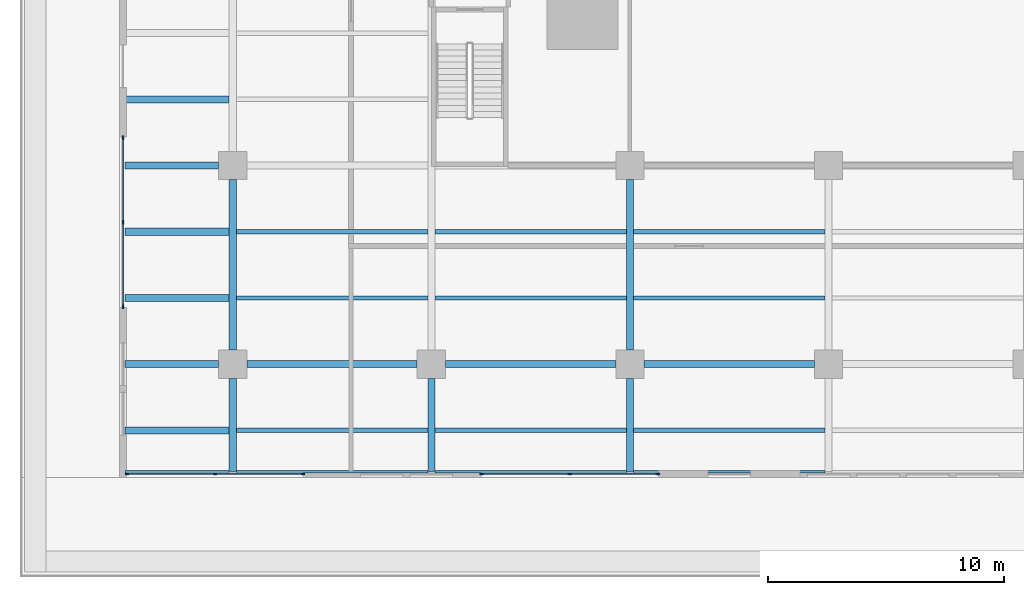
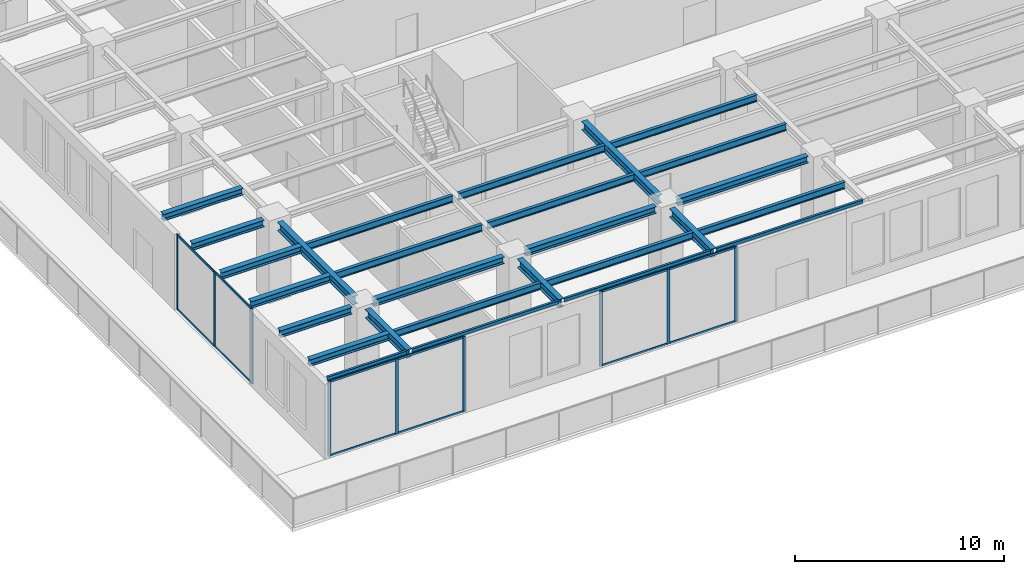
# One storey, part 2 of 32: 27 beams, 21 members, 3 elements without a shape of their own.
"""IFC4 building model written with IfcOpenShell, lengths in metres."""

from ifc_helpers import new_model, si_unit, direction, frame, origin, origin_2d, place, context, subcontext, project, spatial, rectangle, i_section, extrude, material, material_profile, profile_set, type_object, element, aggregate, save


model = new_model("IFC4")

# Units and contexts
model_context = context("Model", 3, precision=1e-05, world=origin(), true_north=direction((0.0, 1.0)))
body_context = subcontext(model_context, "Body", "Model", "MODEL_VIEW")
ifc_project = project(units=[si_unit("LENGTHUNIT", "METRE"), si_unit("AREAUNIT", "SQUARE_METRE"), si_unit("VOLUMEUNIT", "CUBIC_METRE"), si_unit("PLANEANGLEUNIT", "RADIAN"), si_unit("MASSUNIT", "GRAM", prefix="KILO")], contexts=[model_context])

# Site, building, storey
site_placement = place(None, origin())
site = spatial("IfcSite", under=ifc_project, at=site_placement, CompositionType="ELEMENT")
building_placement = place(site_placement, origin())
building = spatial("IfcBuilding", under=site, at=building_placement, Name="Khepri Terraces", CompositionType="ELEMENT")
storey_placement = place(building_placement, frame((0.0, 0.0, 12.0)))
storey = spatial("IfcBuildingStorey", under=building, at=storey_placement, Name="L02", CompositionType="ELEMENT", Elevation=12.0)

# Curtain wall, members
ifc_material_1 = material(Name="Anodised aluminium bronze curtain wall", Category="aluminium")
curtain_wall_type = type_object("IfcCurtainWallType", Name="CW-SYS2-PODIUM", PredefinedType="NOTDEFINED", material=ifc_material_1)
curtain_wall_1_placement = place(storey_placement, origin())
curtain_wall_1 = element("IfcCurtainWall", 1, at=curtain_wall_1_placement, inside=storey, type_object=curtain_wall_type, Name="Curtain wall CW2 L02 S", PredefinedType="NOTDEFINED")
ifc_material_2 = material(Name="Anodised aluminium bronze", Category="aluminium")
ifc_material_profile_1 = material_profile(ifc_material_2, rectangle(XDim=0.06005859375, YDim=0.159912109375, at=origin_2d()), Name="Anodised aluminium bronze", Category="aluminium")
ifc_profile_set_1 = profile_set([ifc_material_profile_1], Name="Anodised aluminium bronze")
member_type_1 = type_object("IfcMemberType", Name="CW-MULLION-60x160", PredefinedType="MULLION", material=ifc_profile_set_1)
member_1_placement = place(storey_placement, frame((-38.070068359375, -38.25, 0.0), z_axis=(0.0, 0.0, 1.0), x_axis=(0.0, 1.0, 0.0)))
member_1 = element("IfcMember", 2, at=member_1_placement, type_object=member_type_1, Name="CW2 mullion 1", PredefinedType="MULLION", context=body_context, shape_type="SweptSolid", body=[
    extrude(rectangle(XDim=0.06005859375, YDim=0.159912109375, at=origin_2d()), origin(), (0.0, 0.0, 1.0), 4.3798828125),
])
member_2_placement = place(storey_placement, frame((-34.35009765625, -38.25, 0.0), z_axis=(0.0, 0.0, 1.0), x_axis=(0.0, 1.0, 0.0)))
member_2 = element("IfcMember", 3, at=member_2_placement, type_object=member_type_1, Name="CW2 mullion 2", PredefinedType="MULLION", context=body_context, shape_type="SweptSolid", body=[
    extrude(rectangle(XDim=0.06005859375, YDim=0.159912109375, at=origin_2d()), origin(), (0.0, 0.0, 1.0), 4.3798828125),
])
member_3_placement = place(storey_placement, frame((-30.6298828125, -38.25, 0.0), z_axis=(0.0, 0.0, 1.0), x_axis=(0.0, 1.0, 0.0)))
member_3 = element("IfcMember", 4, at=member_3_placement, type_object=member_type_1, Name="CW2 mullion 3", PredefinedType="MULLION", context=body_context, shape_type="SweptSolid", body=[
    extrude(rectangle(XDim=0.06005859375, YDim=0.159912109375, at=origin_2d()), origin(), (0.0, 0.0, 1.0), 4.3798828125),
])

curtain_wall_2_placement = place(storey_placement, origin())
curtain_wall_2 = element("IfcCurtainWall", 5, at=curtain_wall_2_placement, inside=storey, type_object=curtain_wall_type, Name="Curtain wall CW2 L02 S", PredefinedType="NOTDEFINED")
member_4_placement = place(storey_placement, frame((-23.070068359375, -38.25, 0.0), z_axis=(0.0, 0.0, 1.0), x_axis=(0.0, 1.0, 0.0)))
member_4 = element("IfcMember", 6, at=member_4_placement, type_object=member_type_1, Name="CW2 mullion 1", PredefinedType="MULLION", context=body_context, shape_type="SweptSolid", body=[
    extrude(rectangle(XDim=0.06005859375, YDim=0.159912109375, at=origin_2d()), origin(), (0.0, 0.0, 1.0), 4.3798828125),
])
member_5_placement = place(storey_placement, frame((-19.35009765625, -38.25, 0.0), z_axis=(0.0, 0.0, 1.0), x_axis=(0.0, 1.0, 0.0)))
member_5 = element("IfcMember", 7, at=member_5_placement, type_object=member_type_1, Name="CW2 mullion 2", PredefinedType="MULLION", context=body_context, shape_type="SweptSolid", body=[
    extrude(rectangle(XDim=0.06005859375, YDim=0.159912109375, at=origin_2d()), origin(), (0.0, 0.0, 1.0), 4.3798828125),
])
member_6_placement = place(storey_placement, frame((-15.6298828125, -38.25, 0.0), z_axis=(0.0, 0.0, 1.0), x_axis=(0.0, 1.0, 0.0)))
member_6 = element("IfcMember", 8, at=member_6_placement, type_object=member_type_1, Name="CW2 mullion 3", PredefinedType="MULLION", context=body_context, shape_type="SweptSolid", body=[
    extrude(rectangle(XDim=0.06005859375, YDim=0.159912109375, at=origin_2d()), origin(), (0.0, 0.0, 1.0), 4.3798828125),
])

curtain_wall_3_placement = place(storey_placement, origin())
curtain_wall_3 = element("IfcCurtainWall", 9, at=curtain_wall_3_placement, inside=storey, type_object=curtain_wall_type, Name="Curtain wall CW2 L02 W", PredefinedType="NOTDEFINED")
member_7_placement = place(storey_placement, frame((-38.25, -24.030029296875, 0.0), z_axis=(0.0, 0.0, 1.0), x_axis=(1.0, 0.0, 0.0)))
member_7 = element("IfcMember", 10, at=member_7_placement, type_object=member_type_1, Name="CW2 mullion 1", PredefinedType="MULLION", context=body_context, shape_type="SweptSolid", body=[
    extrude(rectangle(XDim=0.06005859375, YDim=0.159912109375, at=origin_2d()), origin(), (0.0, 0.0, 1.0), 4.3798828125),
])
member_8_placement = place(storey_placement, frame((-38.25, -27.60009765625, 0.0), z_axis=(0.0, 0.0, 1.0), x_axis=(1.0, 0.0, 0.0)))
member_8 = element("IfcMember", 11, at=member_8_placement, type_object=member_type_1, Name="CW2 mullion 2", PredefinedType="MULLION", context=body_context, shape_type="SweptSolid", body=[
    extrude(rectangle(XDim=0.06005859375, YDim=0.159912109375, at=origin_2d()), origin(), (0.0, 0.0, 1.0), 4.3798828125),
])
member_9_placement = place(storey_placement, frame((-38.25, -31.169921875, 0.0), z_axis=(0.0, 0.0, 1.0), x_axis=(1.0, 0.0, 0.0)))
member_9 = element("IfcMember", 12, at=member_9_placement, type_object=member_type_1, Name="CW2 mullion 3", PredefinedType="MULLION", context=body_context, shape_type="SweptSolid", body=[
    extrude(rectangle(XDim=0.06005859375, YDim=0.159912109375, at=origin_2d()), origin(), (0.0, 0.0, 1.0), 4.3798828125),
])

# Member
ifc_material_profile_2 = material_profile(ifc_material_2, rectangle(XDim=0.06005859375, YDim=0.1201171875, at=origin_2d()), Name="Anodised aluminium bronze", Category="aluminium")
ifc_profile_set_2 = profile_set([ifc_material_profile_2], Name="Anodised aluminium bronze")
member_type_2 = type_object("IfcMemberType", Name="CW-TRANSOM-60x120", PredefinedType="USERDEFINED", material=ifc_profile_set_2)
member_10_placement = place(storey_placement, frame((-38.0400390625, -38.25, 0.030029296875), z_axis=(1.0, 0.0, 0.0), x_axis=(0.0, 1.0, 0.0)))
member_10 = element("IfcMember", 13, at=member_10_placement, type_object=member_type_2, Name="CW2 transom 1.1", ObjectType="TRANSOM", PredefinedType="USERDEFINED", context=body_context, shape_type="SweptSolid", body=[
    extrude(rectangle(XDim=0.06005859375, YDim=0.1201171875, at=origin_2d()), origin(), (0.0, 0.0, 1.0), 3.66015625),
])

member_11_placement = place(storey_placement, frame((-38.0400390625, -38.25, 4.35009765625), z_axis=(1.0, 0.0, 0.0), x_axis=(0.0, 1.0, 0.0)))
member_11 = element("IfcMember", 14, at=member_11_placement, type_object=member_type_2, Name="CW2 transom 1.2", ObjectType="TRANSOM", PredefinedType="USERDEFINED", context=body_context, shape_type="SweptSolid", body=[
    extrude(rectangle(XDim=0.06005859375, YDim=0.1201171875, at=origin_2d()), origin(), (0.0, 0.0, 1.0), 3.66015625),
])

member_12_placement = place(storey_placement, frame((-34.320068359375, -38.25, 0.030029296875), z_axis=(1.0, 0.0, 0.0), x_axis=(0.0, 1.0, 0.0)))
member_12 = element("IfcMember", 15, at=member_12_placement, type_object=member_type_2, Name="CW2 transom 2.1", ObjectType="TRANSOM", PredefinedType="USERDEFINED", context=body_context, shape_type="SweptSolid", body=[
    extrude(rectangle(XDim=0.06005859375, YDim=0.1201171875, at=origin_2d()), origin(), (0.0, 0.0, 1.0), 3.66015625),
])

member_13_placement = place(storey_placement, frame((-34.320068359375, -38.25, 4.35009765625), z_axis=(1.0, 0.0, 0.0), x_axis=(0.0, 1.0, 0.0)))
member_13 = element("IfcMember", 16, at=member_13_placement, type_object=member_type_2, Name="CW2 transom 2.2", ObjectType="TRANSOM", PredefinedType="USERDEFINED", context=body_context, shape_type="SweptSolid", body=[
    extrude(rectangle(XDim=0.06005859375, YDim=0.1201171875, at=origin_2d()), origin(), (0.0, 0.0, 1.0), 3.66015625),
])

aggregate(curtain_wall_1, [member_1, member_2, member_3, member_10, member_11, member_12, member_13])

member_14_placement = place(storey_placement, frame((-23.0400390625, -38.25, 0.030029296875), z_axis=(1.0, 0.0, 0.0), x_axis=(0.0, 1.0, 0.0)))
member_14 = element("IfcMember", 17, at=member_14_placement, type_object=member_type_2, Name="CW2 transom 1.1", ObjectType="TRANSOM", PredefinedType="USERDEFINED", context=body_context, shape_type="SweptSolid", body=[
    extrude(rectangle(XDim=0.06005859375, YDim=0.1201171875, at=origin_2d()), origin(), (0.0, 0.0, 1.0), 3.66015625),
])

member_15_placement = place(storey_placement, frame((-23.0400390625, -38.25, 4.35009765625), z_axis=(1.0, 0.0, 0.0), x_axis=(0.0, 1.0, 0.0)))
member_15 = element("IfcMember", 18, at=member_15_placement, type_object=member_type_2, Name="CW2 transom 1.2", ObjectType="TRANSOM", PredefinedType="USERDEFINED", context=body_context, shape_type="SweptSolid", body=[
    extrude(rectangle(XDim=0.06005859375, YDim=0.1201171875, at=origin_2d()), origin(), (0.0, 0.0, 1.0), 3.66015625),
])

member_16_placement = place(storey_placement, frame((-19.320068359375, -38.25, 0.030029296875), z_axis=(1.0, 0.0, 0.0), x_axis=(0.0, 1.0, 0.0)))
member_16 = element("IfcMember", 19, at=member_16_placement, type_object=member_type_2, Name="CW2 transom 2.1", ObjectType="TRANSOM", PredefinedType="USERDEFINED", context=body_context, shape_type="SweptSolid", body=[
    extrude(rectangle(XDim=0.06005859375, YDim=0.1201171875, at=origin_2d()), origin(), (0.0, 0.0, 1.0), 3.66015625),
])

member_17_placement = place(storey_placement, frame((-19.320068359375, -38.25, 4.35009765625), z_axis=(1.0, 0.0, 0.0), x_axis=(0.0, 1.0, 0.0)))
member_17 = element("IfcMember", 20, at=member_17_placement, type_object=member_type_2, Name="CW2 transom 2.2", ObjectType="TRANSOM", PredefinedType="USERDEFINED", context=body_context, shape_type="SweptSolid", body=[
    extrude(rectangle(XDim=0.06005859375, YDim=0.1201171875, at=origin_2d()), origin(), (0.0, 0.0, 1.0), 3.66015625),
])

aggregate(curtain_wall_2, [member_4, member_5, member_6, member_14, member_15, member_16, member_17])

member_18_placement = place(storey_placement, frame((-38.25, -24.06005859375, 0.030029296875), z_axis=(0.0, -1.0, 0.0), x_axis=(1.0, 0.0, 0.0)))
member_18 = element("IfcMember", 21, at=member_18_placement, type_object=member_type_2, Name="CW2 transom 1.1", ObjectType="TRANSOM", PredefinedType="USERDEFINED", context=body_context, shape_type="SweptSolid", body=[
    extrude(rectangle(XDim=0.06005859375, YDim=0.1201171875, at=origin_2d()), origin(), (0.0, 0.0, 1.0), 3.510009765625),
])

member_19_placement = place(storey_placement, frame((-38.25, -24.06005859375, 4.35009765625), z_axis=(0.0, -1.0, 0.0), x_axis=(1.0, 0.0, 0.0)))
member_19 = element("IfcMember", 22, at=member_19_placement, type_object=member_type_2, Name="CW2 transom 1.2", ObjectType="TRANSOM", PredefinedType="USERDEFINED", context=body_context, shape_type="SweptSolid", body=[
    extrude(rectangle(XDim=0.06005859375, YDim=0.1201171875, at=origin_2d()), origin(), (0.0, 0.0, 1.0), 3.510009765625),
])

member_20_placement = place(storey_placement, frame((-38.25, -27.6298828125, 0.030029296875), z_axis=(0.0, -1.0, 0.0), x_axis=(1.0, 0.0, 0.0)))
member_20 = element("IfcMember", 23, at=member_20_placement, type_object=member_type_2, Name="CW2 transom 2.1", ObjectType="TRANSOM", PredefinedType="USERDEFINED", context=body_context, shape_type="SweptSolid", body=[
    extrude(rectangle(XDim=0.06005859375, YDim=0.1201171875, at=origin_2d()), origin(), (0.0, 0.0, 1.0), 3.510009765625),
])

member_21_placement = place(storey_placement, frame((-38.25, -27.6298828125, 4.35009765625), z_axis=(0.0, -1.0, 0.0), x_axis=(1.0, 0.0, 0.0)))
member_21 = element("IfcMember", 24, at=member_21_placement, type_object=member_type_2, Name="CW2 transom 2.2", ObjectType="TRANSOM", PredefinedType="USERDEFINED", context=body_context, shape_type="SweptSolid", body=[
    extrude(rectangle(XDim=0.06005859375, YDim=0.1201171875, at=origin_2d()), origin(), (0.0, 0.0, 1.0), 3.510009765625),
])

aggregate(curtain_wall_3, [member_7, member_8, member_9, member_18, member_19, member_20, member_21])

# Beams
ifc_material_3 = material(Name="Steel S355", Category="steel")
ifc_material_profile_3 = material_profile(ifc_material_3, i_section(OverallWidth=0.1201171875, OverallDepth=0.239990234375, WebThickness=0.006103515625, FlangeThickness=0.009765625, FilletRadius=0.014892578125, at=origin_2d()), Name="Steel S355", Category="steel")
ifc_profile_set_3 = profile_set([ifc_material_profile_3], Name="Steel S355")
beam_type_1 = type_object("IfcBeamType", Name="Podium cantilever edge beam L03 IPE 240", PredefinedType="SPANDREL", material=ifc_profile_set_3)
beam_1_placement = place(storey_placement, frame((-38.14990234375, -38.14990234375, 4.47998046875), z_axis=(1.0, 0.0, 0.0), x_axis=(0.0, 1.0, 0.0)))
element("IfcBeam", 25, at=beam_1_placement, inside=storey, type_object=beam_type_1, Name="Podium edge beam L03 001", PredefinedType="SPANDREL", context=body_context, shape_type="SweptSolid", body=[
    extrude(i_section(OverallWidth=0.1201171875, OverallDepth=0.239990234375, WebThickness=0.006103515625, FlangeThickness=0.009765625, FilletRadius=0.014892578125, at=origin_2d()), origin(), (0.0, 0.0, 1.0), 4.39990234375),
])
ifc_material_profile_4 = material_profile(ifc_material_3, i_section(OverallWidth=0.300048828125, OverallDepth=0.5, WebThickness=0.014404296875, FlangeThickness=0.028076171875, FilletRadius=0.027099609375, at=origin_2d()), Name="Steel S355", Category="steel")
ifc_profile_set_4 = profile_set([ifc_material_profile_4], Name="Steel S355")
beam_type_2 = type_object("IfcBeamType", Name="Podium cantilever girder L03 HEB 500", PredefinedType="BEAM", material=ifc_profile_set_4)
for number, where, z_axis, x_axis, name in (
    (26, (-33.60009765625, -38.14990234375, 4.35009765625), (0.0, 1.0, 0.0), (-1.0, 0.0, 0.0), "Podium girder L03 001"),
    (27, (-25.199951171875, -38.14990234375, 4.35009765625), (0.0, 1.0, 0.0), (-1.0, 0.0, 0.0), "Podium girder L03 011"),
    (28, (-16.800048828125, -38.14990234375, 4.35009765625), (0.0, 1.0, 0.0), (-1.0, 0.0, 0.0), "Podium girder L03 019"),
):
    element("IfcBeam", number, at=place(storey_placement, frame(where, z_axis=z_axis, x_axis=x_axis)), inside=storey, type_object=beam_type_2, Name=name, PredefinedType="BEAM", context=body_context, shape_type="SweptSolid", body=[
        extrude(i_section(OverallWidth=0.300048828125, OverallDepth=0.5, WebThickness=0.014404296875, FlangeThickness=0.028076171875, FilletRadius=0.027099609375, at=origin_2d()), origin(), (0.0, 0.0, 1.0), 3.949951171875),
    ])
ifc_material_profile_5 = material_profile(ifc_material_3, i_section(OverallWidth=0.300048828125, OverallDepth=0.389892578125, WebThickness=0.010986328125, FlangeThickness=0.01904296875, FilletRadius=0.027099609375, at=origin_2d()), Name="Steel S355", Category="steel")
ifc_profile_set_5 = profile_set([ifc_material_profile_5], Name="Steel S355")
beam_type_3 = type_object("IfcBeamType", Name="Podium cantilever joist L03 HEA 400", PredefinedType="JOIST", material=ifc_profile_set_5)
for number, where, z_axis, x_axis, name in (
    (29, (-38.14990234375, -36.39990234375, 4.405029296875), (1.0, 0.0, 0.0), (0.0, 1.0, 0.0), "Podium cantilever joist L03 001"),
    (30, (-38.14990234375, -30.800048828125, 4.405029296875), (1.0, 0.0, 0.0), (0.0, 1.0, 0.0), "Podium cantilever joist L03 021"),
    (31, (-38.14990234375, -28.0, 4.405029296875), (1.0, 0.0, 0.0), (0.0, 1.0, 0.0), "Podium cantilever joist L03 031"),
    (32, (-38.14990234375, -22.39990234375, 4.405029296875), (1.0, 0.0, 0.0), (0.0, 1.0, 0.0), "Podium cantilever joist L03 049"),
):
    element("IfcBeam", number, at=place(storey_placement, frame(where, z_axis=z_axis, x_axis=x_axis)), inside=storey, type_object=beam_type_3, Name=name, PredefinedType="JOIST", context=body_context, shape_type="SweptSolid", body=[
        extrude(i_section(OverallWidth=0.300048828125, OverallDepth=0.389892578125, WebThickness=0.010986328125, FlangeThickness=0.01904296875, FilletRadius=0.027099609375, at=origin_2d()), origin(), (0.0, 0.0, 1.0), 4.39990234375),
    ])
ifc_material_profile_6 = material_profile(ifc_material_3, i_section(OverallWidth=0.1201171875, OverallDepth=0.239990234375, WebThickness=0.006103515625, FlangeThickness=0.009765625, FilletRadius=0.014892578125, at=origin_2d()), Name="Steel S355", Category="steel")
ifc_profile_set_6 = profile_set([ifc_material_profile_6], Name="Steel S355")
beam_type_4 = type_object("IfcBeamType", Name="Podium edge beam L03 IPE 240", PredefinedType="SPANDREL", material=ifc_profile_set_6)
beam_2_placement = place(storey_placement, frame((-33.449951171875, -38.14990234375, 4.47998046875), z_axis=(1.0, 0.0, 0.0), x_axis=(0.0, 1.0, 0.0)))
element("IfcBeam", 33, at=beam_2_placement, inside=storey, type_object=beam_type_4, Name="Podium edge beam L03 002", PredefinedType="SPANDREL", context=body_context, shape_type="SweptSolid", body=[
    extrude(i_section(OverallWidth=0.1201171875, OverallDepth=0.239990234375, WebThickness=0.006103515625, FlangeThickness=0.009765625, FilletRadius=0.014892578125, at=origin_2d()), origin(), (0.0, 0.0, 1.0), 8.099853515625),
])
beam_3_placement = place(storey_placement, frame((-25.050048828125, -38.14990234375, 4.47998046875), z_axis=(1.0, 0.0, 0.0), x_axis=(0.0, 1.0, 0.0)))
element("IfcBeam", 34, at=beam_3_placement, inside=storey, type_object=beam_type_4, Name="Podium edge beam L03 003", PredefinedType="SPANDREL", context=body_context, shape_type="SweptSolid", body=[
    extrude(i_section(OverallWidth=0.1201171875, OverallDepth=0.239990234375, WebThickness=0.006103515625, FlangeThickness=0.009765625, FilletRadius=0.014892578125, at=origin_2d()), origin(), (0.0, 0.0, 1.0), 8.10009765625),
])
beam_4_placement = place(storey_placement, frame((-16.64990234375, -38.14990234375, 4.47998046875), z_axis=(1.0, 0.0, 0.0), x_axis=(0.0, 1.0, 0.0)))
element("IfcBeam", 35, at=beam_4_placement, inside=storey, type_object=beam_type_4, Name="Podium edge beam L03 004", PredefinedType="SPANDREL", context=body_context, shape_type="SweptSolid", body=[
    extrude(i_section(OverallWidth=0.1201171875, OverallDepth=0.239990234375, WebThickness=0.006103515625, FlangeThickness=0.009765625, FilletRadius=0.014892578125, at=origin_2d()), origin(), (0.0, 0.0, 1.0), 8.099853515625),
])
ifc_material_profile_7 = material_profile(ifc_material_3, i_section(OverallWidth=0.300048828125, OverallDepth=0.5, WebThickness=0.014404296875, FlangeThickness=0.028076171875, FilletRadius=0.027099609375, at=origin_2d()), Name="Steel S355", Category="steel")
ifc_profile_set_7 = profile_set([ifc_material_profile_7], Name="Steel S355")
beam_type_5 = type_object("IfcBeamType", Name="Podium girder L03 HEB 500", PredefinedType="BEAM", material=ifc_profile_set_7)
for number, where, z_axis, x_axis, name in (
    (36, (-33.60009765625, -33.0, 4.35009765625), (0.0, 1.0, 0.0), (-1.0, 0.0, 0.0), "Podium girder L03 002"),
    (37, (-16.800048828125, -33.0, 4.35009765625), (0.0, 1.0, 0.0), (-1.0, 0.0, 0.0), "Podium girder L03 020"),
):
    element("IfcBeam", number, at=place(storey_placement, frame(where, z_axis=z_axis, x_axis=x_axis)), inside=storey, type_object=beam_type_5, Name=name, PredefinedType="BEAM", context=body_context, shape_type="SweptSolid", body=[
        extrude(i_section(OverallWidth=0.300048828125, OverallDepth=0.5, WebThickness=0.014404296875, FlangeThickness=0.028076171875, FilletRadius=0.027099609375, at=origin_2d()), origin(), (0.0, 0.0, 1.0), 7.199951171875),
    ])
ifc_material_profile_8 = material_profile(ifc_material_3, i_section(OverallWidth=0.300048828125, OverallDepth=0.39990234375, WebThickness=0.013427734375, FlangeThickness=0.02392578125, FilletRadius=0.027099609375, at=origin_2d()), Name="Steel S355", Category="steel")
ifc_profile_set_8 = profile_set([ifc_material_profile_8], Name="Steel S355")
beam_type_6 = type_object("IfcBeamType", Name="Podium girder L03 grid line HEB 400", PredefinedType="BEAM", material=ifc_profile_set_8)
beam_5_placement = place(storey_placement, frame((-38.14990234375, -33.60009765625, 4.39990234375), z_axis=(1.0, 0.0, 0.0), x_axis=(0.0, 1.0, 0.0)))
element("IfcBeam", 38, at=beam_5_placement, inside=storey, type_object=beam_type_6, Name="Podium grid-line girder L03 011", PredefinedType="BEAM", context=body_context, shape_type="SweptSolid", body=[
    extrude(i_section(OverallWidth=0.300048828125, OverallDepth=0.39990234375, WebThickness=0.013427734375, FlangeThickness=0.02392578125, FilletRadius=0.027099609375, at=origin_2d()), origin(), (0.0, 0.0, 1.0), 3.949951171875),
])
beam_6_placement = place(storey_placement, frame((-33.0, -33.60009765625, 4.39990234375), z_axis=(1.0, 0.0, 0.0), x_axis=(0.0, 1.0, 0.0)))
element("IfcBeam", 39, at=beam_6_placement, inside=storey, type_object=beam_type_6, Name="Podium grid-line girder L03 012", PredefinedType="BEAM", context=body_context, shape_type="SweptSolid", body=[
    extrude(i_section(OverallWidth=0.300048828125, OverallDepth=0.39990234375, WebThickness=0.013427734375, FlangeThickness=0.02392578125, FilletRadius=0.027099609375, at=origin_2d()), origin(), (0.0, 0.0, 1.0), 7.199951171875),
])
beam_7_placement = place(storey_placement, frame((-24.60009765625, -33.60009765625, 4.39990234375), z_axis=(1.0, 0.0, 0.0), x_axis=(0.0, 1.0, 0.0)))
element("IfcBeam", 40, at=beam_7_placement, inside=storey, type_object=beam_type_6, Name="Podium grid-line girder L03 013", PredefinedType="BEAM", context=body_context, shape_type="SweptSolid", body=[
    extrude(i_section(OverallWidth=0.300048828125, OverallDepth=0.39990234375, WebThickness=0.013427734375, FlangeThickness=0.02392578125, FilletRadius=0.027099609375, at=origin_2d()), origin(), (0.0, 0.0, 1.0), 7.2001953125),
])
beam_8_placement = place(storey_placement, frame((-16.199951171875, -33.60009765625, 4.39990234375), z_axis=(1.0, 0.0, 0.0), x_axis=(0.0, 1.0, 0.0)))
element("IfcBeam", 41, at=beam_8_placement, inside=storey, type_object=beam_type_6, Name="Podium grid-line girder L03 014", PredefinedType="BEAM", context=body_context, shape_type="SweptSolid", body=[
    extrude(i_section(OverallWidth=0.300048828125, OverallDepth=0.39990234375, WebThickness=0.013427734375, FlangeThickness=0.02392578125, FilletRadius=0.027099609375, at=origin_2d()), origin(), (0.0, 0.0, 1.0), 7.199951171875),
])
beam_9_placement = place(storey_placement, frame((-38.14990234375, -25.199951171875, 4.39990234375), z_axis=(1.0, 0.0, 0.0), x_axis=(0.0, 1.0, 0.0)))
element("IfcBeam", 42, at=beam_9_placement, inside=storey, type_object=beam_type_6, Name="Podium grid-line girder L03 041", PredefinedType="BEAM", context=body_context, shape_type="SweptSolid", body=[
    extrude(i_section(OverallWidth=0.300048828125, OverallDepth=0.39990234375, WebThickness=0.013427734375, FlangeThickness=0.02392578125, FilletRadius=0.027099609375, at=origin_2d()), origin(), (0.0, 0.0, 1.0), 3.949951171875),
])
ifc_material_profile_9 = material_profile(ifc_material_3, i_section(OverallWidth=0.179931640625, OverallDepth=0.39990234375, WebThickness=0.008544921875, FlangeThickness=0.013427734375, FilletRadius=0.02099609375, at=origin_2d()), Name="Steel S355", Category="steel")
ifc_profile_set_9 = profile_set([ifc_material_profile_9], Name="Steel S355")
beam_type_7 = type_object("IfcBeamType", Name="Podium joist L03 IPE 400", PredefinedType="JOIST", material=ifc_profile_set_9)
beam_10_placement = place(storey_placement, frame((-33.449951171875, -36.39990234375, 4.39990234375), z_axis=(1.0, 0.0, 0.0), x_axis=(0.0, 1.0, 0.0)))
element("IfcBeam", 43, at=beam_10_placement, inside=storey, type_object=beam_type_7, Name="Podium joist L03 002", PredefinedType="JOIST", context=body_context, shape_type="SweptSolid", body=[
    extrude(i_section(OverallWidth=0.179931640625, OverallDepth=0.39990234375, WebThickness=0.008544921875, FlangeThickness=0.013427734375, FilletRadius=0.02099609375, at=origin_2d()), origin(), (0.0, 0.0, 1.0), 8.099853515625),
])
beam_11_placement = place(storey_placement, frame((-25.050048828125, -36.39990234375, 4.39990234375), z_axis=(1.0, 0.0, 0.0), x_axis=(0.0, 1.0, 0.0)))
element("IfcBeam", 44, at=beam_11_placement, inside=storey, type_object=beam_type_7, Name="Podium joist L03 003", PredefinedType="JOIST", context=body_context, shape_type="SweptSolid", body=[
    extrude(i_section(OverallWidth=0.179931640625, OverallDepth=0.39990234375, WebThickness=0.008544921875, FlangeThickness=0.013427734375, FilletRadius=0.02099609375, at=origin_2d()), origin(), (0.0, 0.0, 1.0), 8.10009765625),
])
for number, where, z_axis, x_axis, name in (
    (45, (-16.64990234375, -36.39990234375, 4.39990234375), (1.0, 0.0, 0.0), (0.0, 1.0, 0.0), "Podium joist L03 004"),
    (46, (-33.449951171875, -30.800048828125, 4.39990234375), (1.0, 0.0, 0.0), (0.0, 1.0, 0.0), "Podium joist L03 022"),
):
    element("IfcBeam", number, at=place(storey_placement, frame(where, z_axis=z_axis, x_axis=x_axis)), inside=storey, type_object=beam_type_7, Name=name, PredefinedType="JOIST", context=body_context, shape_type="SweptSolid", body=[
        extrude(i_section(OverallWidth=0.179931640625, OverallDepth=0.39990234375, WebThickness=0.008544921875, FlangeThickness=0.013427734375, FilletRadius=0.02099609375, at=origin_2d()), origin(), (0.0, 0.0, 1.0), 8.099853515625),
    ])
beam_12_placement = place(storey_placement, frame((-25.050048828125, -30.800048828125, 4.39990234375), z_axis=(1.0, 0.0, 0.0), x_axis=(0.0, 1.0, 0.0)))
element("IfcBeam", 47, at=beam_12_placement, inside=storey, type_object=beam_type_7, Name="Podium joist L03 023", PredefinedType="JOIST", context=body_context, shape_type="SweptSolid", body=[
    extrude(i_section(OverallWidth=0.179931640625, OverallDepth=0.39990234375, WebThickness=0.008544921875, FlangeThickness=0.013427734375, FilletRadius=0.02099609375, at=origin_2d()), origin(), (0.0, 0.0, 1.0), 8.10009765625),
])
for number, where, z_axis, x_axis, name in (
    (48, (-16.64990234375, -30.800048828125, 4.39990234375), (1.0, 0.0, 0.0), (0.0, 1.0, 0.0), "Podium joist L03 024"),
    (49, (-33.449951171875, -28.0, 4.39990234375), (1.0, 0.0, 0.0), (0.0, 1.0, 0.0), "Podium joist L03 032"),
):
    element("IfcBeam", number, at=place(storey_placement, frame(where, z_axis=z_axis, x_axis=x_axis)), inside=storey, type_object=beam_type_7, Name=name, PredefinedType="JOIST", context=body_context, shape_type="SweptSolid", body=[
        extrude(i_section(OverallWidth=0.179931640625, OverallDepth=0.39990234375, WebThickness=0.008544921875, FlangeThickness=0.013427734375, FilletRadius=0.02099609375, at=origin_2d()), origin(), (0.0, 0.0, 1.0), 8.099853515625),
    ])
beam_13_placement = place(storey_placement, frame((-25.050048828125, -28.0, 4.39990234375), z_axis=(1.0, 0.0, 0.0), x_axis=(0.0, 1.0, 0.0)))
element("IfcBeam", 50, at=beam_13_placement, inside=storey, type_object=beam_type_7, Name="Podium joist L03 033", PredefinedType="JOIST", context=body_context, shape_type="SweptSolid", body=[
    extrude(i_section(OverallWidth=0.179931640625, OverallDepth=0.39990234375, WebThickness=0.008544921875, FlangeThickness=0.013427734375, FilletRadius=0.02099609375, at=origin_2d()), origin(), (0.0, 0.0, 1.0), 8.10009765625),
])
beam_14_placement = place(storey_placement, frame((-16.64990234375, -28.0, 4.39990234375), z_axis=(1.0, 0.0, 0.0), x_axis=(0.0, 1.0, 0.0)))
element("IfcBeam", 51, at=beam_14_placement, inside=storey, type_object=beam_type_7, Name="Podium joist L03 034", PredefinedType="JOIST", context=body_context, shape_type="SweptSolid", body=[
    extrude(i_section(OverallWidth=0.179931640625, OverallDepth=0.39990234375, WebThickness=0.008544921875, FlangeThickness=0.013427734375, FilletRadius=0.02099609375, at=origin_2d()), origin(), (0.0, 0.0, 1.0), 8.099853515625),
])

save(model, "model.ifc")
